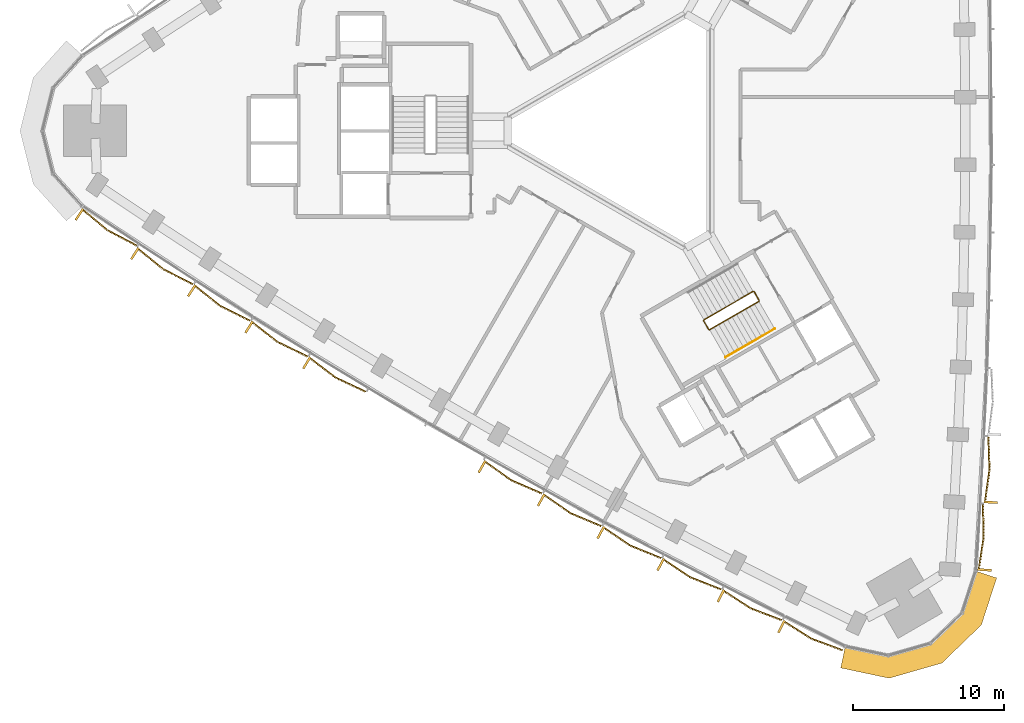
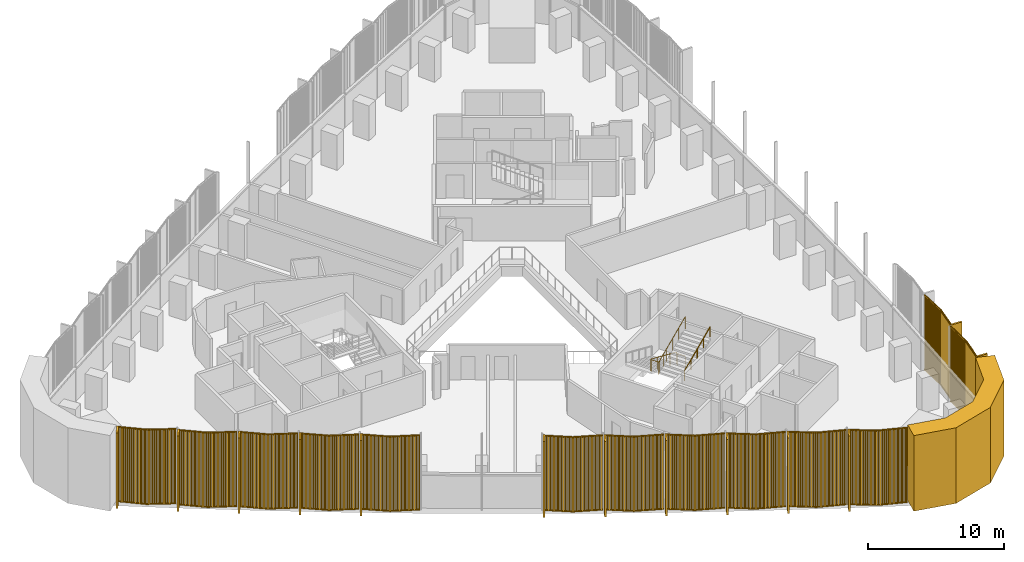
# One storey, part 12 of 15: 14 coverings, 2 railings.
"""IFC4 building model written with IfcOpenShell, lengths in metres."""

from ifc_helpers import new_model, si_unit, direction, frame, frame_2d, origin, origin_2d, place, context, subcontext, project, spatial, polyline, rectangle, circle, outline, extrude, source, transform, mapped, material, layer, layer_set, type_object, element, save


model = new_model("IFC4")

# Units and contexts
model_context = context("Model", 3, precision=1e-05, world=origin(), true_north=direction((0.0, 1.0)))
body_context = subcontext(model_context, "Body", "Model", "MODEL_VIEW")
ifc_project = project(units=[si_unit("LENGTHUNIT", "METRE"), si_unit("AREAUNIT", "SQUARE_METRE"), si_unit("VOLUMEUNIT", "CUBIC_METRE"), si_unit("PLANEANGLEUNIT", "RADIAN"), si_unit("MASSUNIT", "GRAM", prefix="KILO")], contexts=[model_context])

# Site, building, storey
site_placement = place(None, origin())
site = spatial("IfcSite", under=ifc_project, at=site_placement, CompositionType="ELEMENT")
building_placement = place(site_placement, origin())
building = spatial("IfcBuilding", under=site, at=building_placement, Name="Tamra Quay Hotel Tower", CompositionType="ELEMENT")
storey_placement = place(building_placement, frame((0.0, 0.0, 67.39990234375)))
storey = spatial("IfcBuildingStorey", under=building, at=storey_placement, Name="L15", CompositionType="ELEMENT", Elevation=67.39990234375)

# Covering
ifc_material_1 = material(Name="Precast concrete M60 terracotta-coloured", Category="masonry")
ifc_layer = layer(ifc_material_1, 1.449951171875)
ifc_layer_set = layer_set([ifc_layer], Name="CORNER PIER PANEL")
covering_type_1 = type_object("IfcCoveringType", Name="CORNER PIER PANEL", PredefinedType="CLADDING", material=ifc_layer_set)
covering_placement = place(storey_placement, origin())
element("IfcCovering", 1, at=covering_placement, inside=storey, type_object=covering_type_1, Name="Corner pier L15.south-west", PredefinedType="CLADDING", context=body_context, shape_type="SweptSolid", body=[
    extrude(outline(polyline([(13.948974609375, -34.148193359375), (13.6474609375, -35.56640625), (16.85205078125, -36.24755859375), (20.3486328125, -35.244873046875), (22.96533203125, -32.718017578125), (23.977783203125, -29.602294921875), (22.598876953125, -29.154296875), (21.697998046875, -31.926025390625), (19.601318359375, -33.95068359375), (16.7998046875, -34.754150390625), (13.948974609375, -34.148193359375)])), origin(), (0.0, 0.0, 1.0), 6.800048828125),
])

# Railings
ifc_material_2 = material(Name="Stair guard 1100")
railing_type_1 = type_object("IfcRailingType", Name="Stair guard 1100", PredefinedType="GUARDRAIL", material=ifc_material_2)
railing_1_placement = place(storey_placement, frame((8.245849609375, -11.221923828125, 0.0)))
element("IfcRailing", 2, at=railing_1_placement, inside=storey, type_object=railing_type_1, Name="GR", PredefinedType="GUARDRAIL", context=body_context, shape_type="SweptSolid", body=[
    extrude(circle(Radius=0.02392578125, at=origin_2d()), frame((0.0, 0.0, 1.076171875), z_axis=(-0.500043078269, 0.866000531106, 0.0), x_axis=(-0.866000531106, -0.500043078269, 0.0)), (0.0, 0.0, 1.0), 0.6591796875),
    extrude(circle(Radius=0.02392578125, at=origin_2d()), frame((-0.32958984375, 0.57080078125, 1.076171875), z_axis=(-0.411831509231, 0.110312011401, 0.90455849349), x_axis=(-0.258736085224, -0.965948051503, 0.0)), (0.0, 0.0, 1.0), 0.166015625),
    extrude(circle(Radius=0.02392578125, at=origin_2d()), frame((-0.39794921875, 0.589111328125, 1.22607421875), z_axis=(-0.793100512587, -0.457912285461, 0.401631567183), x_axis=(0.500012686397, -0.866018079166, 0.0)), (0.0, 0.0, 1.0), 4.10791015625),
    extrude(circle(Radius=0.02392578125, at=origin_2d()), frame((-3.656005859375, -1.2919921875, 2.8759765625), z_axis=(-0.256368644879, -0.966579080015, 0.0), x_axis=(0.966579080015, -0.256368644879, 0.0)), (0.0, 0.0, 1.0), 0.070556640625),
    extrude(circle(Radius=0.02392578125, at=origin_2d()), frame((-3.674072265625, -1.360107421875, 2.8759765625), z_axis=(0.499765215335, -0.866160914346, 0.0), x_axis=(0.866160914346, 0.499765215335, 0.0)), (0.0, 0.0, 1.0), 0.658935546875),
    extrude(circle(Radius=0.02392578125, at=origin_2d()), frame((-3.3447265625, -1.930908203125, 2.8759765625), z_axis=(0.411831509231, -0.110312011401, 0.90455849349), x_axis=(0.258736085224, 0.965948051503, 0.0)), (0.0, 0.0, 1.0), 0.166015625),
    extrude(circle(Radius=0.02392578125, at=origin_2d()), frame((-3.2763671875, -1.94921875, 3.0263671875), z_axis=(0.793100512587, 0.457912285461, 0.401631567183), x_axis=(-0.500012686397, 0.866018079166, 0.0)), (0.0, 0.0, 1.0), 4.10791015625),
    extrude(circle(Radius=0.02099609375, at=origin_2d()), origin(), (0.0, 0.0, 1.0), 1.052001953125),
    extrude(circle(Radius=0.02099609375, at=origin_2d()), frame((-0.32958984375, 0.57080078125, 0.0)), (0.0, 0.0, 1.0), 1.052001953125),
    extrude(circle(Radius=0.02099609375, at=origin_2d()), frame((-0.39794921875, 0.589111328125, 0.150146484375)), (0.0, 0.0, 1.0), 1.052001953125),
    extrude(circle(Radius=0.02099609375, at=origin_2d()), frame((-1.21240234375, 0.118896484375, 0.5625)), (0.0, 0.0, 1.0), 1.052001953125),
    extrude(circle(Radius=0.02099609375, at=origin_2d()), frame((-2.02685546875, -0.3515625, 0.97509765625)), (0.0, 0.0, 1.0), 1.052001953125),
    extrude(circle(Radius=0.02099609375, at=origin_2d()), frame((-2.841552734375, -0.82177734375, 1.3876953125)), (0.0, 0.0, 1.0), 1.052001953125),
    extrude(circle(Radius=0.02099609375, at=origin_2d()), frame((-3.656005859375, -1.2919921875, 1.800048828125)), (0.0, 0.0, 1.0), 1.052001953125),
    extrude(circle(Radius=0.02099609375, at=origin_2d()), frame((-3.674072265625, -1.360107421875, 1.800048828125)), (0.0, 0.0, 1.0), 1.052001953125),
    extrude(circle(Radius=0.02099609375, at=origin_2d()), frame((-3.3447265625, -1.930908203125, 1.800048828125)), (0.0, 0.0, 1.0), 1.052001953125),
    extrude(circle(Radius=0.02099609375, at=origin_2d()), frame((-3.2763671875, -1.94921875, 1.9501953125)), (0.0, 0.0, 1.0), 1.052001953125),
    extrude(circle(Radius=0.02099609375, at=origin_2d()), frame((-2.4619140625, -1.47900390625, 2.36279296875)), (0.0, 0.0, 1.0), 1.052001953125),
    extrude(circle(Radius=0.02099609375, at=origin_2d()), frame((-1.6474609375, -1.0087890625, 2.775146484375)), (0.0, 0.0, 1.0), 1.052001953125),
    extrude(circle(Radius=0.02099609375, at=origin_2d()), frame((-0.832763671875, -0.538330078125, 3.1875)), (0.0, 0.0, 1.0), 1.052001953125),
    extrude(circle(Radius=0.02099609375, at=origin_2d()), frame((-0.018310546875, -0.068115234375, 3.60009765625)), (0.0, 0.0, 1.0), 1.052001953125),
])
ifc_material_3 = material(Name="Stair handrail 900")
railing_type_2 = type_object("IfcRailingType", Name="Stair handrail 900", PredefinedType="HANDRAIL", material=ifc_material_3)
railing_2_placement = place(storey_placement, frame((6.01953125, -14.98974609375, 1.9501953125)))
element("IfcRailing", 3, at=railing_2_placement, inside=storey, type_object=railing_type_2, Name="HR", PredefinedType="HANDRAIL", context=body_context, shape_type="SweptSolid", body=[
    extrude(circle(Radius=0.02392578125, at=origin_2d()), frame((0.0, 0.0, 0.8759765625), z_axis=(0.79310004713, 0.457886897714, 0.401661429744), x_axis=(-0.499992114976, 0.866029956157, 0.0)), (0.0, 0.0, 1.0), 4.107666015625),
    extrude(circle(Radius=0.02099609375, at=origin_2d()), origin(), (0.0, 0.0, 1.0), 0.851806640625),
    extrude(circle(Radius=0.02099609375, at=origin_2d()), frame((0.814453125, 0.47021484375, 0.41259765625)), (0.0, 0.0, 1.0), 0.851806640625),
    extrude(circle(Radius=0.02099609375, at=origin_2d()), frame((1.62890625, 0.9404296875, 0.824951171875)), (0.0, 0.0, 1.0), 0.851806640625),
    extrude(circle(Radius=0.02099609375, at=origin_2d()), frame((2.443359375, 1.41064453125, 1.2373046875)), (0.0, 0.0, 1.0), 0.851806640625),
    extrude(circle(Radius=0.02099609375, at=origin_2d()), frame((3.2578125, 1.880859375, 1.64990234375)), (0.0, 0.0, 1.0), 0.851806640625),
])

# Coverings
ifc_material_4 = material(Name="Terracotta baguette extruded", Category="masonry")
covering_type_2 = type_object("IfcCoveringType", Name="BAGUETTE SCREEN E-V H6800", PredefinedType="USERDEFINED", material=ifc_material_4)
shared_shape_1 = source(origin(), body_context, "Body", "SweptSolid", [
    extrude(rectangle(XDim=2.2109375, YDim=0.06005859375, at=frame_2d((1.10546875, 0.030029296875))), frame((-2.207763671875, -0.057861328125, -0.1201171875), z_axis=(0.0, 0.0, 1.0), x_axis=(0.996194698092, -0.087155742748, 0.0)), (0.0, 0.0, 1.0), 0.1201171875),
    extrude(rectangle(XDim=2.2109375, YDim=0.06005859375, at=frame_2d((1.10546875, 0.030029296875))), frame((-2.207763671875, -0.057861328125, -6.800048828125), z_axis=(0.0, 0.0, 1.0), x_axis=(0.996194698092, -0.087155742748, 0.0)), (0.0, 0.0, 1.0), 0.1201171875),
    extrude(rectangle(XDim=0.070068359375, YDim=0.10009765625, at=frame_2d((0.03515625, 0.050048828125))), frame((-2.1875, -0.13232421875, -6.739990234375)), (0.0, 0.0, 1.0), 6.679931640625),
    extrude(rectangle(XDim=0.070068359375, YDim=0.10009765625, at=frame_2d((0.03515625, 0.050048828125))), frame((-2.08740234375, -0.14111328125, -6.739990234375)), (0.0, 0.0, 1.0), 6.679931640625),
    extrude(rectangle(XDim=0.070068359375, YDim=0.10009765625, at=frame_2d((0.03515625, 0.050048828125))), frame((-1.9873046875, -0.14990234375, -6.739990234375)), (0.0, 0.0, 1.0), 6.679931640625),
    extrude(rectangle(XDim=0.070068359375, YDim=0.10009765625, at=frame_2d((0.03515625, 0.050048828125))), frame((-1.88720703125, -0.15869140625, -6.739990234375)), (0.0, 0.0, 1.0), 6.679931640625),
    extrude(rectangle(XDim=0.070068359375, YDim=0.10009765625, at=frame_2d((0.03515625, 0.050048828125))), frame((-1.787109375, -0.16748046875, -6.739990234375)), (0.0, 0.0, 1.0), 6.679931640625),
    extrude(rectangle(XDim=0.070068359375, YDim=0.10009765625, at=frame_2d((0.03515625, 0.050048828125))), frame((-1.686767578125, -0.17626953125, -6.739990234375)), (0.0, 0.0, 1.0), 6.679931640625),
    extrude(rectangle(XDim=0.070068359375, YDim=0.10009765625, at=frame_2d((0.03515625, 0.050048828125))), frame((-1.586669921875, -0.184814453125, -6.739990234375)), (0.0, 0.0, 1.0), 6.679931640625),
    extrude(rectangle(XDim=0.070068359375, YDim=0.10009765625, at=frame_2d((0.03515625, 0.050048828125))), frame((-1.486572265625, -0.193603515625, -6.739990234375)), (0.0, 0.0, 1.0), 6.679931640625),
    extrude(rectangle(XDim=0.070068359375, YDim=0.10009765625, at=frame_2d((0.03515625, 0.050048828125))), frame((-1.386474609375, -0.202392578125, -6.739990234375)), (0.0, 0.0, 1.0), 6.679931640625),
    extrude(rectangle(XDim=0.070068359375, YDim=0.10009765625, at=frame_2d((0.03515625, 0.050048828125))), frame((-1.286376953125, -0.211181640625, -6.739990234375)), (0.0, 0.0, 1.0), 6.679931640625),
    extrude(rectangle(XDim=0.070068359375, YDim=0.10009765625, at=frame_2d((0.03515625, 0.050048828125))), frame((-1.186279296875, -0.219970703125, -6.739990234375)), (0.0, 0.0, 1.0), 6.679931640625),
    extrude(rectangle(XDim=0.070068359375, YDim=0.10009765625, at=frame_2d((0.03515625, 0.050048828125))), frame((-1.086181640625, -0.228759765625, -6.739990234375)), (0.0, 0.0, 1.0), 6.679931640625),
    extrude(rectangle(XDim=0.070068359375, YDim=0.10009765625, at=frame_2d((0.03515625, 0.050048828125))), frame((-0.986083984375, -0.237548828125, -6.739990234375)), (0.0, 0.0, 1.0), 6.679931640625),
    extrude(rectangle(XDim=0.070068359375, YDim=0.10009765625, at=frame_2d((0.03515625, 0.050048828125))), frame((-0.885986328125, -0.246337890625, -6.739990234375)), (0.0, 0.0, 1.0), 6.679931640625),
    extrude(rectangle(XDim=0.070068359375, YDim=0.10009765625, at=frame_2d((0.03515625, 0.050048828125))), frame((-0.785888671875, -0.2548828125, -6.739990234375)), (0.0, 0.0, 1.0), 6.679931640625),
    extrude(rectangle(XDim=0.070068359375, YDim=0.10009765625, at=frame_2d((0.03515625, 0.050048828125))), frame((-0.685791015625, -0.263671875, -6.739990234375)), (0.0, 0.0, 1.0), 6.679931640625),
    extrude(rectangle(XDim=0.070068359375, YDim=0.10009765625, at=frame_2d((0.03515625, 0.050048828125))), frame((-0.585693359375, -0.2724609375, -6.739990234375)), (0.0, 0.0, 1.0), 6.679931640625),
    extrude(rectangle(XDim=0.070068359375, YDim=0.10009765625, at=frame_2d((0.03515625, 0.050048828125))), frame((-0.485595703125, -0.28125, -6.739990234375)), (0.0, 0.0, 1.0), 6.679931640625),
    extrude(rectangle(XDim=0.070068359375, YDim=0.10009765625, at=frame_2d((0.03515625, 0.050048828125))), frame((-0.385498046875, -0.2900390625, -6.739990234375)), (0.0, 0.0, 1.0), 6.679931640625),
    extrude(rectangle(XDim=0.070068359375, YDim=0.10009765625, at=frame_2d((0.03515625, 0.050048828125))), frame((-0.285400390625, -0.298828125, -6.739990234375)), (0.0, 0.0, 1.0), 6.679931640625),
    extrude(rectangle(XDim=0.070068359375, YDim=0.10009765625, at=frame_2d((0.03515625, 0.050048828125))), frame((-0.18505859375, -0.3076171875, -6.739990234375)), (0.0, 0.0, 1.0), 6.679931640625),
    extrude(rectangle(XDim=0.070068359375, YDim=0.10009765625, at=frame_2d((0.03515625, 0.050048828125))), frame((-0.0849609375, -0.31640625, -6.739990234375)), (0.0, 0.0, 1.0), 6.679931640625),
    extrude(rectangle(XDim=2.2109375, YDim=0.06005859375, at=frame_2d((1.10546875, 0.030029296875))), frame((0.005126953125, -0.25048828125, -0.1201171875), z_axis=(0.0, 0.0, 1.0), x_axis=(0.996194698092, 0.087155742748, 0.0)), (0.0, 0.0, 1.0), 0.1201171875),
    extrude(rectangle(XDim=2.2109375, YDim=0.06005859375, at=frame_2d((1.10546875, 0.030029296875))), frame((0.005126953125, -0.25048828125, -6.800048828125), z_axis=(0.0, 0.0, 1.0), x_axis=(0.996194698092, 0.087155742748, 0.0)), (0.0, 0.0, 1.0), 0.1201171875),
    extrude(rectangle(XDim=0.070068359375, YDim=0.10009765625, at=frame_2d((0.03515625, 0.050048828125))), frame((0.01513671875, -0.31640625, -6.739990234375)), (0.0, 0.0, 1.0), 6.679931640625),
    extrude(rectangle(XDim=0.070068359375, YDim=0.10009765625, at=frame_2d((0.03515625, 0.050048828125))), frame((0.115234375, -0.3076171875, -6.739990234375)), (0.0, 0.0, 1.0), 6.679931640625),
    extrude(rectangle(XDim=0.070068359375, YDim=0.10009765625, at=frame_2d((0.03515625, 0.050048828125))), frame((0.21533203125, -0.298828125, -6.739990234375)), (0.0, 0.0, 1.0), 6.679931640625),
    extrude(rectangle(XDim=0.070068359375, YDim=0.10009765625, at=frame_2d((0.03515625, 0.050048828125))), frame((0.3154296875, -0.2900390625, -6.739990234375)), (0.0, 0.0, 1.0), 6.679931640625),
    extrude(rectangle(XDim=0.070068359375, YDim=0.10009765625, at=frame_2d((0.03515625, 0.050048828125))), frame((0.41552734375, -0.28125, -6.739990234375)), (0.0, 0.0, 1.0), 6.679931640625),
    extrude(rectangle(XDim=0.070068359375, YDim=0.10009765625, at=frame_2d((0.03515625, 0.050048828125))), frame((0.515625, -0.2724609375, -6.739990234375)), (0.0, 0.0, 1.0), 6.679931640625),
    extrude(rectangle(XDim=0.070068359375, YDim=0.10009765625, at=frame_2d((0.03515625, 0.050048828125))), frame((0.61572265625, -0.263671875, -6.739990234375)), (0.0, 0.0, 1.0), 6.679931640625),
    extrude(rectangle(XDim=0.070068359375, YDim=0.10009765625, at=frame_2d((0.03515625, 0.050048828125))), frame((0.7158203125, -0.2548828125, -6.739990234375)), (0.0, 0.0, 1.0), 6.679931640625),
    extrude(rectangle(XDim=0.070068359375, YDim=0.10009765625, at=frame_2d((0.03515625, 0.050048828125))), frame((0.81591796875, -0.246337890625, -6.739990234375)), (0.0, 0.0, 1.0), 6.679931640625),
    extrude(rectangle(XDim=0.070068359375, YDim=0.10009765625, at=frame_2d((0.03515625, 0.050048828125))), frame((0.916015625, -0.237548828125, -6.739990234375)), (0.0, 0.0, 1.0), 6.679931640625),
    extrude(rectangle(XDim=0.070068359375, YDim=0.10009765625, at=frame_2d((0.03515625, 0.050048828125))), frame((1.01611328125, -0.228759765625, -6.739990234375)), (0.0, 0.0, 1.0), 6.679931640625),
    extrude(rectangle(XDim=0.070068359375, YDim=0.10009765625, at=frame_2d((0.03515625, 0.050048828125))), frame((1.1162109375, -0.219970703125, -6.739990234375)), (0.0, 0.0, 1.0), 6.679931640625),
    extrude(rectangle(XDim=0.070068359375, YDim=0.10009765625, at=frame_2d((0.03515625, 0.050048828125))), frame((1.21630859375, -0.211181640625, -6.739990234375)), (0.0, 0.0, 1.0), 6.679931640625),
    extrude(rectangle(XDim=0.070068359375, YDim=0.10009765625, at=frame_2d((0.03515625, 0.050048828125))), frame((1.316650390625, -0.202392578125, -6.739990234375)), (0.0, 0.0, 1.0), 6.679931640625),
    extrude(rectangle(XDim=0.070068359375, YDim=0.10009765625, at=frame_2d((0.03515625, 0.050048828125))), frame((1.416748046875, -0.193603515625, -6.739990234375)), (0.0, 0.0, 1.0), 6.679931640625),
    extrude(rectangle(XDim=0.070068359375, YDim=0.10009765625, at=frame_2d((0.03515625, 0.050048828125))), frame((1.516845703125, -0.184814453125, -6.739990234375)), (0.0, 0.0, 1.0), 6.679931640625),
    extrude(rectangle(XDim=0.070068359375, YDim=0.10009765625, at=frame_2d((0.03515625, 0.050048828125))), frame((1.616943359375, -0.17626953125, -6.739990234375)), (0.0, 0.0, 1.0), 6.679931640625),
    extrude(rectangle(XDim=0.070068359375, YDim=0.10009765625, at=frame_2d((0.03515625, 0.050048828125))), frame((1.717041015625, -0.16748046875, -6.739990234375)), (0.0, 0.0, 1.0), 6.679931640625),
    extrude(rectangle(XDim=0.070068359375, YDim=0.10009765625, at=frame_2d((0.03515625, 0.050048828125))), frame((1.817138671875, -0.15869140625, -6.739990234375)), (0.0, 0.0, 1.0), 6.679931640625),
    extrude(rectangle(XDim=0.070068359375, YDim=0.10009765625, at=frame_2d((0.03515625, 0.050048828125))), frame((1.917236328125, -0.14990234375, -6.739990234375)), (0.0, 0.0, 1.0), 6.679931640625),
    extrude(rectangle(XDim=0.070068359375, YDim=0.10009765625, at=frame_2d((0.03515625, 0.050048828125))), frame((2.017333984375, -0.14111328125, -6.739990234375)), (0.0, 0.0, 1.0), 6.679931640625),
    extrude(rectangle(XDim=0.070068359375, YDim=0.10009765625, at=frame_2d((0.03515625, 0.050048828125))), frame((2.117431640625, -0.13232421875, -6.739990234375)), (0.0, 0.0, 1.0), 6.679931640625),
    extrude(rectangle(XDim=0.14990234375, YDim=0.902099609375, at=frame_2d((0.074951171875, 0.451171875))), frame((-2.202392578125, -0.89990234375, -6.800048828125)), (0.0, 0.0, 1.0), 6.800048828125),
])
for number, where, z_axis, x_axis, name in (
    (4, (22.862060546875, -26.92236328125, 6.800048828125), (0.0, 0.0, 1.0), (0.064813190551, 0.997897414733, 0.0), "Baguette screen L15.E.f00"),
    (5, (23.248779296875, -22.44677734375, 6.800048828125), (0.0, 0.0, 1.0), (0.054062166947, 0.998537571704, 0.0), "Baguette screen L15.E.f01"),
):
    element("IfcCovering", number, at=place(storey_placement, frame(where, z_axis=z_axis, x_axis=x_axis)), inside=storey, type_object=covering_type_2, Name=name, ObjectType="BAGUETTE SCREEN", PredefinedType="USERDEFINED", context=body_context, shape_type="MappedRepresentation", body=[
        mapped(shared_shape_1, transform((0.0, 0.0, 0.0), scale=1.0)),
    ])
covering_type_3 = type_object("IfcCoveringType", Name="BAGUETTE SCREEN SW-V H6800", PredefinedType="USERDEFINED", material=ifc_material_4)
shared_shape_2 = source(origin(), body_context, "Body", "SweptSolid", [
    extrude(rectangle(XDim=2.214599609375, YDim=0.06005859375, at=frame_2d((1.107421875, 0.030029296875))), frame((-2.208740234375, -0.0576171875, -0.1201171875), z_axis=(0.0, 0.0, 1.0), x_axis=(0.994521895368, -0.104528463268, 0.0)), (0.0, 0.0, 1.0), 0.1201171875),
    extrude(rectangle(XDim=2.214599609375, YDim=0.06005859375, at=frame_2d((1.107421875, 0.030029296875))), frame((-2.208740234375, -0.0576171875, -6.800048828125), z_axis=(0.0, 0.0, 1.0), x_axis=(0.994521895368, -0.104528463268, 0.0)), (0.0, 0.0, 1.0), 0.1201171875),
    extrude(rectangle(XDim=0.070068359375, YDim=0.10009765625, at=frame_2d((0.03515625, 0.050048828125))), frame((-2.1875, -0.13330078125, -6.739990234375)), (0.0, 0.0, 1.0), 6.679931640625),
    extrude(rectangle(XDim=0.070068359375, YDim=0.10009765625, at=frame_2d((0.03515625, 0.050048828125))), frame((-2.08740234375, -0.143798828125, -6.739990234375)), (0.0, 0.0, 1.0), 6.679931640625),
    extrude(rectangle(XDim=0.070068359375, YDim=0.10009765625, at=frame_2d((0.03515625, 0.050048828125))), frame((-1.9873046875, -0.154296875, -6.739990234375)), (0.0, 0.0, 1.0), 6.679931640625),
    extrude(rectangle(XDim=0.070068359375, YDim=0.10009765625, at=frame_2d((0.03515625, 0.050048828125))), frame((-1.88720703125, -0.164794921875, -6.739990234375)), (0.0, 0.0, 1.0), 6.679931640625),
    extrude(rectangle(XDim=0.070068359375, YDim=0.10009765625, at=frame_2d((0.03515625, 0.050048828125))), frame((-1.787109375, -0.17529296875, -6.739990234375)), (0.0, 0.0, 1.0), 6.679931640625),
    extrude(rectangle(XDim=0.070068359375, YDim=0.10009765625, at=frame_2d((0.03515625, 0.050048828125))), frame((-1.686767578125, -0.185791015625, -6.739990234375)), (0.0, 0.0, 1.0), 6.679931640625),
    extrude(rectangle(XDim=0.070068359375, YDim=0.10009765625, at=frame_2d((0.03515625, 0.050048828125))), frame((-1.586669921875, -0.1962890625, -6.739990234375)), (0.0, 0.0, 1.0), 6.679931640625),
    extrude(rectangle(XDim=0.070068359375, YDim=0.10009765625, at=frame_2d((0.03515625, 0.050048828125))), frame((-1.486572265625, -0.20703125, -6.739990234375)), (0.0, 0.0, 1.0), 6.679931640625),
    extrude(rectangle(XDim=0.070068359375, YDim=0.10009765625, at=frame_2d((0.03515625, 0.050048828125))), frame((-1.386474609375, -0.217529296875, -6.739990234375)), (0.0, 0.0, 1.0), 6.679931640625),
    extrude(rectangle(XDim=0.070068359375, YDim=0.10009765625, at=frame_2d((0.03515625, 0.050048828125))), frame((-1.286376953125, -0.22802734375, -6.739990234375)), (0.0, 0.0, 1.0), 6.679931640625),
    extrude(rectangle(XDim=0.070068359375, YDim=0.10009765625, at=frame_2d((0.03515625, 0.050048828125))), frame((-1.186279296875, -0.238525390625, -6.739990234375)), (0.0, 0.0, 1.0), 6.679931640625),
    extrude(rectangle(XDim=0.070068359375, YDim=0.10009765625, at=frame_2d((0.03515625, 0.050048828125))), frame((-1.086181640625, -0.2490234375, -6.739990234375)), (0.0, 0.0, 1.0), 6.679931640625),
    extrude(rectangle(XDim=0.070068359375, YDim=0.10009765625, at=frame_2d((0.03515625, 0.050048828125))), frame((-0.986083984375, -0.259521484375, -6.739990234375)), (0.0, 0.0, 1.0), 6.679931640625),
    extrude(rectangle(XDim=0.070068359375, YDim=0.10009765625, at=frame_2d((0.03515625, 0.050048828125))), frame((-0.885986328125, -0.27001953125, -6.739990234375)), (0.0, 0.0, 1.0), 6.679931640625),
    extrude(rectangle(XDim=0.070068359375, YDim=0.10009765625, at=frame_2d((0.03515625, 0.050048828125))), frame((-0.785888671875, -0.280517578125, -6.739990234375)), (0.0, 0.0, 1.0), 6.679931640625),
    extrude(rectangle(XDim=0.070068359375, YDim=0.10009765625, at=frame_2d((0.03515625, 0.050048828125))), frame((-0.685791015625, -0.291015625, -6.739990234375)), (0.0, 0.0, 1.0), 6.679931640625),
    extrude(rectangle(XDim=0.070068359375, YDim=0.10009765625, at=frame_2d((0.03515625, 0.050048828125))), frame((-0.585693359375, -0.301513671875, -6.739990234375)), (0.0, 0.0, 1.0), 6.679931640625),
    extrude(rectangle(XDim=0.070068359375, YDim=0.10009765625, at=frame_2d((0.03515625, 0.050048828125))), frame((-0.485595703125, -0.312255859375, -6.739990234375)), (0.0, 0.0, 1.0), 6.679931640625),
    extrude(rectangle(XDim=0.070068359375, YDim=0.10009765625, at=frame_2d((0.03515625, 0.050048828125))), frame((-0.385498046875, -0.32275390625, -6.739990234375)), (0.0, 0.0, 1.0), 6.679931640625),
    extrude(rectangle(XDim=0.070068359375, YDim=0.10009765625, at=frame_2d((0.03515625, 0.050048828125))), frame((-0.285400390625, -0.333251953125, -6.739990234375)), (0.0, 0.0, 1.0), 6.679931640625),
    extrude(rectangle(XDim=0.070068359375, YDim=0.10009765625, at=frame_2d((0.03515625, 0.050048828125))), frame((-0.18505859375, -0.34375, -6.739990234375)), (0.0, 0.0, 1.0), 6.679931640625),
    extrude(rectangle(XDim=0.070068359375, YDim=0.10009765625, at=frame_2d((0.03515625, 0.050048828125))), frame((-0.0849609375, -0.354248046875, -6.739990234375)), (0.0, 0.0, 1.0), 6.679931640625),
    extrude(rectangle(XDim=2.214599609375, YDim=0.06005859375, at=frame_2d((1.107421875, 0.030029296875))), frame((0.00634765625, -0.2890625, -0.1201171875), z_axis=(0.0, 0.0, 1.0), x_axis=(0.994521895368, 0.104528463268, 0.0)), (0.0, 0.0, 1.0), 0.1201171875),
    extrude(rectangle(XDim=2.214599609375, YDim=0.06005859375, at=frame_2d((1.107421875, 0.030029296875))), frame((0.00634765625, -0.2890625, -6.800048828125), z_axis=(0.0, 0.0, 1.0), x_axis=(0.994521895368, 0.104528463268, 0.0)), (0.0, 0.0, 1.0), 0.1201171875),
    extrude(rectangle(XDim=0.070068359375, YDim=0.10009765625, at=frame_2d((0.03515625, 0.050048828125))), frame((0.01513671875, -0.354248046875, -6.739990234375)), (0.0, 0.0, 1.0), 6.679931640625),
    extrude(rectangle(XDim=0.070068359375, YDim=0.10009765625, at=frame_2d((0.03515625, 0.050048828125))), frame((0.115234375, -0.34375, -6.739990234375)), (0.0, 0.0, 1.0), 6.679931640625),
    extrude(rectangle(XDim=0.070068359375, YDim=0.10009765625, at=frame_2d((0.03515625, 0.050048828125))), frame((0.21533203125, -0.333251953125, -6.739990234375)), (0.0, 0.0, 1.0), 6.679931640625),
    extrude(rectangle(XDim=0.070068359375, YDim=0.10009765625, at=frame_2d((0.03515625, 0.050048828125))), frame((0.3154296875, -0.32275390625, -6.739990234375)), (0.0, 0.0, 1.0), 6.679931640625),
    extrude(rectangle(XDim=0.070068359375, YDim=0.10009765625, at=frame_2d((0.03515625, 0.050048828125))), frame((0.41552734375, -0.312255859375, -6.739990234375)), (0.0, 0.0, 1.0), 6.679931640625),
    extrude(rectangle(XDim=0.070068359375, YDim=0.10009765625, at=frame_2d((0.03515625, 0.050048828125))), frame((0.515625, -0.301513671875, -6.739990234375)), (0.0, 0.0, 1.0), 6.679931640625),
    extrude(rectangle(XDim=0.070068359375, YDim=0.10009765625, at=frame_2d((0.03515625, 0.050048828125))), frame((0.61572265625, -0.291015625, -6.739990234375)), (0.0, 0.0, 1.0), 6.679931640625),
    extrude(rectangle(XDim=0.070068359375, YDim=0.10009765625, at=frame_2d((0.03515625, 0.050048828125))), frame((0.7158203125, -0.280517578125, -6.739990234375)), (0.0, 0.0, 1.0), 6.679931640625),
    extrude(rectangle(XDim=0.070068359375, YDim=0.10009765625, at=frame_2d((0.03515625, 0.050048828125))), frame((0.81591796875, -0.27001953125, -6.739990234375)), (0.0, 0.0, 1.0), 6.679931640625),
    extrude(rectangle(XDim=0.070068359375, YDim=0.10009765625, at=frame_2d((0.03515625, 0.050048828125))), frame((0.916015625, -0.259521484375, -6.739990234375)), (0.0, 0.0, 1.0), 6.679931640625),
    extrude(rectangle(XDim=0.070068359375, YDim=0.10009765625, at=frame_2d((0.03515625, 0.050048828125))), frame((1.01611328125, -0.2490234375, -6.739990234375)), (0.0, 0.0, 1.0), 6.679931640625),
    extrude(rectangle(XDim=0.070068359375, YDim=0.10009765625, at=frame_2d((0.03515625, 0.050048828125))), frame((1.1162109375, -0.238525390625, -6.739990234375)), (0.0, 0.0, 1.0), 6.679931640625),
    extrude(rectangle(XDim=0.070068359375, YDim=0.10009765625, at=frame_2d((0.03515625, 0.050048828125))), frame((1.21630859375, -0.22802734375, -6.739990234375)), (0.0, 0.0, 1.0), 6.679931640625),
    extrude(rectangle(XDim=0.070068359375, YDim=0.10009765625, at=frame_2d((0.03515625, 0.050048828125))), frame((1.316650390625, -0.217529296875, -6.739990234375)), (0.0, 0.0, 1.0), 6.679931640625),
    extrude(rectangle(XDim=0.070068359375, YDim=0.10009765625, at=frame_2d((0.03515625, 0.050048828125))), frame((1.416748046875, -0.20703125, -6.739990234375)), (0.0, 0.0, 1.0), 6.679931640625),
    extrude(rectangle(XDim=0.070068359375, YDim=0.10009765625, at=frame_2d((0.03515625, 0.050048828125))), frame((1.516845703125, -0.1962890625, -6.739990234375)), (0.0, 0.0, 1.0), 6.679931640625),
    extrude(rectangle(XDim=0.070068359375, YDim=0.10009765625, at=frame_2d((0.03515625, 0.050048828125))), frame((1.616943359375, -0.185791015625, -6.739990234375)), (0.0, 0.0, 1.0), 6.679931640625),
    extrude(rectangle(XDim=0.070068359375, YDim=0.10009765625, at=frame_2d((0.03515625, 0.050048828125))), frame((1.717041015625, -0.17529296875, -6.739990234375)), (0.0, 0.0, 1.0), 6.679931640625),
    extrude(rectangle(XDim=0.070068359375, YDim=0.10009765625, at=frame_2d((0.03515625, 0.050048828125))), frame((1.817138671875, -0.164794921875, -6.739990234375)), (0.0, 0.0, 1.0), 6.679931640625),
    extrude(rectangle(XDim=0.070068359375, YDim=0.10009765625, at=frame_2d((0.03515625, 0.050048828125))), frame((1.917236328125, -0.154296875, -6.739990234375)), (0.0, 0.0, 1.0), 6.679931640625),
    extrude(rectangle(XDim=0.070068359375, YDim=0.10009765625, at=frame_2d((0.03515625, 0.050048828125))), frame((2.017333984375, -0.143798828125, -6.739990234375)), (0.0, 0.0, 1.0), 6.679931640625),
    extrude(rectangle(XDim=0.070068359375, YDim=0.10009765625, at=frame_2d((0.03515625, 0.050048828125))), frame((2.117431640625, -0.13330078125, -6.739990234375)), (0.0, 0.0, 1.0), 6.679931640625),
    extrude(rectangle(XDim=0.14990234375, YDim=0.902099609375, at=frame_2d((0.074951171875, 0.451171875))), frame((-2.202392578125, -0.89990234375, -6.800048828125)), (0.0, 0.0, 1.0), 6.800048828125),
])
for number, where, z_axis, x_axis, name in (
    (6, (-34.74658203125, -6.337890625, 6.800048828125), (0.0, 0.0, 1.0), (0.831797916254, -0.555078576884, 0.0), "Baguette screen L15.SW.f00"),
    (7, (-31.063720703125, -8.91064453125, 6.800048828125), (0.0, 0.0, 1.0), (0.837727820256, -0.546087995811, 0.0), "Baguette screen L15.SW.f01"),
    (8, (-27.287841796875, -11.343017578125, 6.800048828125), (0.0, 0.0, 1.0), (0.843570774484, -0.537018015002, 0.0), "Baguette screen L15.SW.f02"),
    (9, (-23.486083984375, -13.734375, 6.800048828125), (0.0, 0.0, 1.0), (0.849331290722, -0.527860169552, 0.0), "Baguette screen L15.SW.f03"),
    (10, (-19.658447265625, -16.084716796875, 6.800048828125), (0.0, 0.0, 1.0), (0.854993446708, -0.518638801177, 0.0), "Baguette screen L15.SW.f04"),
    (11, (-8.026611328125, -22.884765625, 6.800048828125), (0.0, 0.0, 1.0), (0.871392732178, -0.490586084502, 0.0), "Baguette screen L15.SW.f07"),
    (12, (-4.1005859375, -25.067138671875, 6.800048828125), (0.0, 0.0, 1.0), (0.876651100562, -0.48112664433, 0.0), "Baguette screen L15.SW.f08"),
    (13, (-0.1513671875, -27.206787109375, 6.800048828125), (0.0, 0.0, 1.0), (0.88180596184, -0.471612389218, 0.0), "Baguette screen L15.SW.f09"),
    (14, (3.820556640625, -29.303466796875, 6.800048828125), (0.0, 0.0, 1.0), (0.886856630524, -0.462044713092, 0.0), "Baguette screen L15.SW.f10"),
    (15, (7.815185546875, -31.357177734375, 6.800048828125), (0.0, 0.0, 1.0), (0.891789987202, -0.452449575893, 0.0), "Baguette screen L15.SW.f11"),
    (16, (11.831298828125, -33.367919921875, 6.800048828125), (0.0, 0.0, 1.0), (0.896611106805, -0.442818837849, 0.0), "Baguette screen L15.SW.f12"),
):
    element("IfcCovering", number, at=place(storey_placement, frame(where, z_axis=z_axis, x_axis=x_axis)), inside=storey, type_object=covering_type_3, Name=name, ObjectType="BAGUETTE SCREEN", PredefinedType="USERDEFINED", context=body_context, shape_type="MappedRepresentation", body=[
        mapped(shared_shape_2, transform((0.0, 0.0, 0.0), scale=1.0)),
    ])

save(model, "model.ifc")
